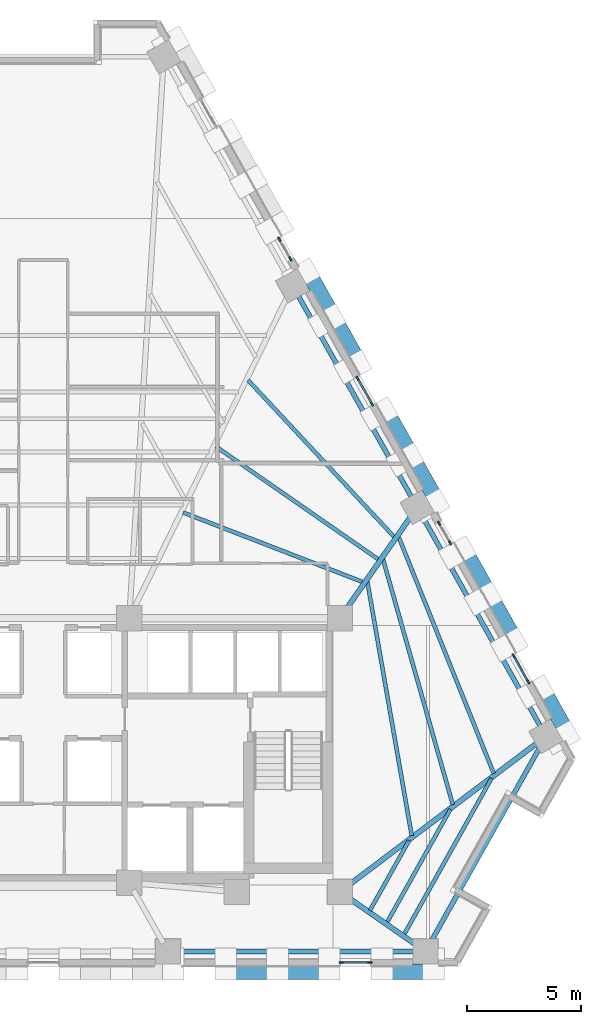
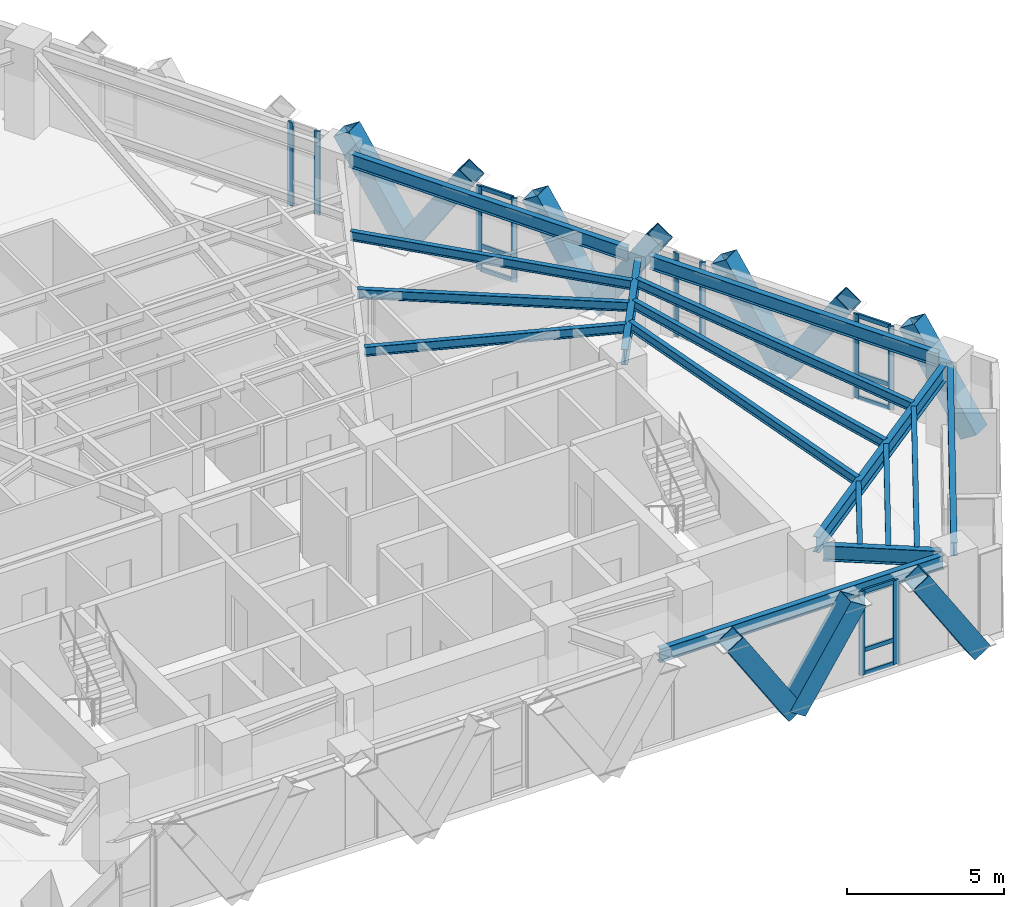
# One storey, part 4 of 13: 29 members, 16 beams, 5 elements without a shape of their own.
"""IFC4 building model written with IfcOpenShell, lengths in metres."""

from ifc_helpers import new_model, si_unit, direction, frame, origin, origin_2d, place, context, subcontext, project, spatial, rectangle, hollow_rectangle, i_section, extrude, material, material_profile, profile_set, type_object, element, aggregate, save


model = new_model("IFC4")

# Units and contexts
model_context = context("Model", 3, precision=1e-05, world=origin(), true_north=direction((0.0, 1.0)))
body_context = subcontext(model_context, "Body", "Model", "MODEL_VIEW")
ifc_project = project(units=[si_unit("LENGTHUNIT", "METRE"), si_unit("AREAUNIT", "SQUARE_METRE"), si_unit("VOLUMEUNIT", "CUBIC_METRE"), si_unit("PLANEANGLEUNIT", "RADIAN"), si_unit("MASSUNIT", "GRAM", prefix="KILO")], contexts=[model_context])

# Site, building, storey
site_placement = place(None, origin())
site = spatial("IfcSite", under=ifc_project, at=site_placement, CompositionType="ELEMENT")
building_placement = place(site_placement, origin())
building = spatial("IfcBuilding", under=site, at=building_placement, Name="Quenlor Broadcast Tower", CompositionType="ELEMENT")
storey_placement = place(building_placement, frame((0.0, 0.0, 109.0)))
storey = spatial("IfcBuildingStorey", under=building, at=storey_placement, Name="L29", CompositionType="ELEMENT", Elevation=109.0)

# Curtain wall, members
ifc_material_1 = material(Name="Architectural Terracotta and Low-E Glazing", Category="masonry")
curtain_wall_type = type_object("IfcCurtainWallType", Name="Unitised Terracotta Curtain Wall System Z2", PredefinedType="NOTDEFINED", material=ifc_material_1)
curtain_wall_1_placement = place(storey_placement, origin())
curtain_wall_1 = element("IfcCurtainWall", 1, at=curtain_wall_1_placement, inside=storey, type_object=curtain_wall_type, Name="L29 Curtain Wall CW2 (L29-SA-G1)", PredefinedType="NOTDEFINED")
ifc_material_2 = material(Name="Aluminium 6063-T6", Category="aluminium")
ifc_material_profile_1 = material_profile(ifc_material_2, rectangle(XDim=0.074951171875, YDim=0.199951171875, at=origin_2d()))
ifc_profile_set_1 = profile_set([ifc_material_profile_1], Name="Aluminium 6063-T6 MULL75x200")
member_type_1 = type_object("IfcMemberType", Name="CW2 Aluminium Mullion MULL_CW2", PredefinedType="MULLION", material=ifc_profile_set_1)
member_1_placement = place(storey_placement, frame((14.254150390625, -19.840087890625, 0.0), z_axis=(0.0, 0.0, 1.0), x_axis=(0.0, -1.0, 0.0)))
member_1 = element("IfcMember", 2, at=member_1_placement, type_object=member_type_1, Name="CW2 mullion 1", PredefinedType="MULLION", context=body_context, shape_type="SweptSolid", body=[
    extrude(rectangle(XDim=0.074951171875, YDim=0.199951171875, at=origin_2d()), origin(), (0.0, 0.0, 1.0), 3.25),
])
member_2_placement = place(storey_placement, frame((13.01611328125, -19.840087890625, 0.0), z_axis=(0.0, 0.0, 1.0), x_axis=(0.0, -1.0, 0.0)))
member_2 = element("IfcMember", 3, at=member_2_placement, type_object=member_type_1, Name="CW2 mullion 2", PredefinedType="MULLION", context=body_context, shape_type="SweptSolid", body=[
    extrude(rectangle(XDim=0.074951171875, YDim=0.199951171875, at=origin_2d()), origin(), (0.0, 0.0, 1.0), 3.25),
])

curtain_wall_2_placement = place(storey_placement, origin())
curtain_wall_2 = element("IfcCurtainWall", 4, at=curtain_wall_2_placement, inside=storey, type_object=curtain_wall_type, Name="L29 Curtain Wall CW2 (L29-NEA-G2)", PredefinedType="NOTDEFINED")
member_3_placement = place(storey_placement, frame((10.306396484375, 11.751220703125, 0.0), z_axis=(0.0, 0.0, 1.0), x_axis=(0.871580587336, 0.490252261371, 0.0)))
member_3 = element("IfcMember", 5, at=member_3_placement, type_object=member_type_1, Name="CW2 mullion 1", PredefinedType="MULLION", context=body_context, shape_type="SweptSolid", body=[
    extrude(rectangle(XDim=0.074951171875, YDim=0.199951171875, at=origin_2d()), origin(), (0.0, 0.0, 1.0), 3.25),
])
member_4_placement = place(storey_placement, frame((10.7880859375, 10.894775390625, 0.0), z_axis=(0.0, 0.0, 1.0), x_axis=(0.871580587336, 0.490252261371, 0.0)))
member_4 = element("IfcMember", 6, at=member_4_placement, type_object=member_type_1, Name="CW2 mullion 2", PredefinedType="MULLION", context=body_context, shape_type="SweptSolid", body=[
    extrude(rectangle(XDim=0.074951171875, YDim=0.199951171875, at=origin_2d()), origin(), (0.0, 0.0, 1.0), 3.25),
])
aggregate(curtain_wall_2, [member_3, member_4])

curtain_wall_3_placement = place(storey_placement, origin())
curtain_wall_3 = element("IfcCurtainWall", 7, at=curtain_wall_3_placement, inside=storey, type_object=curtain_wall_type, Name="L29 Curtain Wall CW2 (L29-NEC-G1)", PredefinedType="NOTDEFINED")
member_5_placement = place(storey_placement, frame((17.282958984375, -0.651611328125, 0.0), z_axis=(0.0, 0.0, 1.0), x_axis=(0.871580587336, 0.490252261371, 0.0)))
member_5 = element("IfcMember", 8, at=member_5_placement, type_object=member_type_1, Name="CW2 mullion 1", PredefinedType="MULLION", context=body_context, shape_type="SweptSolid", body=[
    extrude(rectangle(XDim=0.074951171875, YDim=0.199951171875, at=origin_2d()), origin(), (0.0, 0.0, 1.0), 3.25),
])
member_6_placement = place(storey_placement, frame((17.7646484375, -1.508056640625, 0.0), z_axis=(0.0, 0.0, 1.0), x_axis=(0.871580587336, 0.490252261371, 0.0)))
member_6 = element("IfcMember", 9, at=member_6_placement, type_object=member_type_1, Name="CW2 mullion 2", PredefinedType="MULLION", context=body_context, shape_type="SweptSolid", body=[
    extrude(rectangle(XDim=0.074951171875, YDim=0.199951171875, at=origin_2d()), origin(), (0.0, 0.0, 1.0), 3.25),
])
aggregate(curtain_wall_3, [member_5, member_6])

curtain_wall_4_placement = place(storey_placement, origin())
curtain_wall_4 = element("IfcCurtainWall", 10, at=curtain_wall_4_placement, inside=storey, type_object=curtain_wall_type, Name="L29 Curtain Wall CW2 (L29-NEC-G2)", PredefinedType="NOTDEFINED")
member_7_placement = place(storey_placement, frame((20.545654296875, -6.451904296875, 0.0), z_axis=(0.0, 0.0, 1.0), x_axis=(0.871565749621, 0.490278639232, 0.0)))
member_7 = element("IfcMember", 11, at=member_7_placement, type_object=member_type_1, Name="CW2 mullion 1", PredefinedType="MULLION", context=body_context, shape_type="SweptSolid", body=[
    extrude(rectangle(XDim=0.074951171875, YDim=0.199951171875, at=origin_2d()), origin(), (0.0, 0.0, 1.0), 3.25),
])
member_8_placement = place(storey_placement, frame((21.177734375, -7.57568359375, 0.0), z_axis=(0.0, 0.0, 1.0), x_axis=(0.871565749621, 0.490278639232, 0.0)))
member_8 = element("IfcMember", 12, at=member_8_placement, type_object=member_type_1, Name="CW2 mullion 2", PredefinedType="MULLION", context=body_context, shape_type="SweptSolid", body=[
    extrude(rectangle(XDim=0.074951171875, YDim=0.199951171875, at=origin_2d()), origin(), (0.0, 0.0, 1.0), 3.25),
])

curtain_wall_5_placement = place(storey_placement, origin())
curtain_wall_5 = element("IfcCurtainWall", 13, at=curtain_wall_5_placement, inside=storey, type_object=curtain_wall_type, Name="L29 Curtain Wall CW2 (L29-NE-G1)", PredefinedType="NOTDEFINED")
member_9_placement = place(storey_placement, frame((13.719482421875, 5.683349609375, 0.0), z_axis=(0.0, 0.0, 1.0), x_axis=(0.871579452423, 0.490254279037, 0.0)))
member_9 = element("IfcMember", 14, at=member_9_placement, type_object=member_type_1, Name="CW2 mullion 1", PredefinedType="MULLION", context=body_context, shape_type="SweptSolid", body=[
    extrude(rectangle(XDim=0.074951171875, YDim=0.199951171875, at=origin_2d()), origin(), (0.0, 0.0, 1.0), 3.25),
])
member_10_placement = place(storey_placement, frame((14.3515625, 4.559814453125, 0.0), z_axis=(0.0, 0.0, 1.0), x_axis=(0.871579452423, 0.490254279037, 0.0)))
member_10 = element("IfcMember", 15, at=member_10_placement, type_object=member_type_1, Name="CW2 mullion 2", PredefinedType="MULLION", context=body_context, shape_type="SweptSolid", body=[
    extrude(rectangle(XDim=0.074951171875, YDim=0.199951171875, at=origin_2d()), origin(), (0.0, 0.0, 1.0), 3.25),
])

# Member
ifc_material_3 = material(Name="Aluminium 6063-T6", Category="aluminium")
ifc_material_profile_2 = material_profile(ifc_material_3, rectangle(XDim=0.074951171875, YDim=0.1650390625, at=origin_2d()))
ifc_profile_set_2 = profile_set([ifc_material_profile_2], Name="Aluminium 6063-T6 TRAN75x165")
member_type_2 = type_object("IfcMemberType", Name="CW2 Aluminium Transom TRAN_CW2", PredefinedType="USERDEFINED", material=ifc_profile_set_2)
member_11_placement = place(storey_placement, frame((14.216796875, -19.840087890625, 0.03759765625), z_axis=(-1.0, 0.0, 0.0), x_axis=(0.0, -1.0, 0.0)))
member_11 = element("IfcMember", 16, at=member_11_placement, type_object=member_type_2, Name="CW2 transom 1.1", ObjectType="TRANSOM", PredefinedType="USERDEFINED", context=body_context, shape_type="SweptSolid", body=[
    extrude(rectangle(XDim=0.074951171875, YDim=0.1650390625, at=origin_2d()), origin(), (0.0, 0.0, 1.0), 1.1630859375),
])

member_12_placement = place(storey_placement, frame((14.216796875, -19.840087890625, 0.949951171875), z_axis=(-1.0, 0.0, 0.0), x_axis=(0.0, -1.0, 0.0)))
member_12 = element("IfcMember", 17, at=member_12_placement, type_object=member_type_2, Name="CW2 transom 1.2", ObjectType="TRANSOM", PredefinedType="USERDEFINED", context=body_context, shape_type="SweptSolid", body=[
    extrude(rectangle(XDim=0.074951171875, YDim=0.1650390625, at=origin_2d()), origin(), (0.0, 0.0, 1.0), 1.1630859375),
])

member_13_placement = place(storey_placement, frame((14.216796875, -19.840087890625, 3.21240234375), z_axis=(-1.0, 0.0, 0.0), x_axis=(0.0, -1.0, 0.0)))
member_13 = element("IfcMember", 18, at=member_13_placement, type_object=member_type_2, Name="CW2 transom 1.3", ObjectType="TRANSOM", PredefinedType="USERDEFINED", context=body_context, shape_type="SweptSolid", body=[
    extrude(rectangle(XDim=0.074951171875, YDim=0.1650390625, at=origin_2d()), origin(), (0.0, 0.0, 1.0), 1.1630859375),
])

aggregate(curtain_wall_1, [member_1, member_2, member_11, member_12, member_13])

member_14_placement = place(storey_placement, frame((20.56396484375, -6.484619140625, 0.03759765625), z_axis=(0.490347143438, -0.871527210661, 0.0), x_axis=(0.871527210661, 0.490347143438, 0.0)))
member_14 = element("IfcMember", 19, at=member_14_placement, type_object=member_type_2, Name="CW2 transom 1.1", ObjectType="TRANSOM", PredefinedType="USERDEFINED", context=body_context, shape_type="SweptSolid", body=[
    extrude(rectangle(XDim=0.074951171875, YDim=0.1650390625, at=origin_2d()), origin(), (0.0, 0.0, 1.0), 1.21435546875),
])

member_15_placement = place(storey_placement, frame((20.56396484375, -6.484619140625, 0.949951171875), z_axis=(0.490347143438, -0.871527210661, 0.0), x_axis=(0.871527210661, 0.490347143438, 0.0)))
member_15 = element("IfcMember", 20, at=member_15_placement, type_object=member_type_2, Name="CW2 transom 1.2", ObjectType="TRANSOM", PredefinedType="USERDEFINED", context=body_context, shape_type="SweptSolid", body=[
    extrude(rectangle(XDim=0.074951171875, YDim=0.1650390625, at=origin_2d()), origin(), (0.0, 0.0, 1.0), 1.21435546875),
])

member_16_placement = place(storey_placement, frame((20.56396484375, -6.484619140625, 3.21240234375), z_axis=(0.490347143438, -0.871527210661, 0.0), x_axis=(0.871527210661, 0.490347143438, 0.0)))
member_16 = element("IfcMember", 21, at=member_16_placement, type_object=member_type_2, Name="CW2 transom 1.3", ObjectType="TRANSOM", PredefinedType="USERDEFINED", context=body_context, shape_type="SweptSolid", body=[
    extrude(rectangle(XDim=0.074951171875, YDim=0.1650390625, at=origin_2d()), origin(), (0.0, 0.0, 1.0), 1.21435546875),
])

aggregate(curtain_wall_4, [member_7, member_8, member_14, member_15, member_16])

member_17_placement = place(storey_placement, frame((13.73779296875, 5.650634765625, 0.03759765625), z_axis=(0.490433072585, -0.871478858788, 0.0), x_axis=(0.871478858788, 0.490433072585, 0.0)))
member_17 = element("IfcMember", 22, at=member_17_placement, type_object=member_type_2, Name="CW2 transom 1.1", ObjectType="TRANSOM", PredefinedType="USERDEFINED", context=body_context, shape_type="SweptSolid", body=[
    extrude(rectangle(XDim=0.074951171875, YDim=0.1650390625, at=origin_2d()), origin(), (0.0, 0.0, 1.0), 1.214111328125),
])

member_18_placement = place(storey_placement, frame((13.73779296875, 5.650634765625, 0.949951171875), z_axis=(0.490433072585, -0.871478858788, 0.0), x_axis=(0.871478858788, 0.490433072585, 0.0)))
member_18 = element("IfcMember", 23, at=member_18_placement, type_object=member_type_2, Name="CW2 transom 1.2", ObjectType="TRANSOM", PredefinedType="USERDEFINED", context=body_context, shape_type="SweptSolid", body=[
    extrude(rectangle(XDim=0.074951171875, YDim=0.1650390625, at=origin_2d()), origin(), (0.0, 0.0, 1.0), 1.214111328125),
])

member_19_placement = place(storey_placement, frame((13.73779296875, 5.650634765625, 3.21240234375), z_axis=(0.490433072585, -0.871478858788, 0.0), x_axis=(0.871478858788, 0.490433072585, 0.0)))
member_19 = element("IfcMember", 24, at=member_19_placement, type_object=member_type_2, Name="CW2 transom 1.3", ObjectType="TRANSOM", PredefinedType="USERDEFINED", context=body_context, shape_type="SweptSolid", body=[
    extrude(rectangle(XDim=0.074951171875, YDim=0.1650390625, at=origin_2d()), origin(), (0.0, 0.0, 1.0), 1.214111328125),
])

aggregate(curtain_wall_5, [member_9, member_10, member_17, member_18, member_19])

# Members
ifc_material_4 = material(Name="Steel S355", Category="steel")
ifc_material_profile_3 = material_profile(ifc_material_4, hollow_rectangle(XDim=0.679931640625, YDim=0.679931640625, WallThickness=0.030029296875, at=origin_2d()))
ifc_profile_set_3 = profile_set([ifc_material_profile_3], Name="Steel S355 RHS680x680x30")
member_type_3 = type_object("IfcMemberType", Name="Perimeter Diagonal Lattice Brace Z2 Steel S355 RHS680x30", PredefinedType="BRACE", material=ifc_profile_set_3)
for number, where, z_axis, x_axis, name in (
    (25, (17.030517578125, -20.235107421875, -0.1201171875), (-0.539968035679, 0.0, 0.841685523485), (0.0, -1.0, 0.0), "L29 Perimeter Diamond Lattice S-C1S"),
    (26, (10.239990234375, -20.235107421875, -0.1201171875), (0.539968035679, 0.0, 0.841685523485), (0.0, 1.0, 0.0), "L29 Perimeter Diamond Lattice S-C1B"),
    (27, (10.212890625, -20.235107421875, -0.1201171875), (-0.539968035679, 0.0, 0.841685523485), (0.0, -1.0, 0.0), "L29 Perimeter Diamond Lattice S-C2S"),
):
    element("IfcMember", number, at=place(storey_placement, frame(where, z_axis=z_axis, x_axis=x_axis)), inside=storey, type_object=member_type_3, Name=name, PredefinedType="BRACE", context=body_context, shape_type="SweptSolid", body=[
        extrude(hollow_rectangle(XDim=0.679931640625, YDim=0.679931640625, WallThickness=0.030029296875, at=origin_2d()), origin(), (0.0, 0.0, 1.0), 4.158203125),
    ])
member_20_placement = place(storey_placement, frame((12.66650390625, 8.361083984375, -0.1201171875), z_axis=(-0.268634887212, 0.477637964099, 0.83647909276), x_axis=(-0.871603971106, -0.490210686901, 0.0)))
element("IfcMember", 28, at=member_20_placement, inside=storey, type_object=member_type_3, Name="L29 Perimeter Diamond Lattice NE-C2B", PredefinedType="BRACE", context=body_context, shape_type="SweptSolid", body=[
    extrude(hollow_rectangle(XDim=0.679931640625, YDim=0.679931640625, WallThickness=0.030029296875, at=origin_2d()), origin(), (0.0, 0.0, 1.0), 4.184326171875),
])
for number, where, z_axis, x_axis, name in (
    (29, (12.68017578125, 8.3369140625, -0.1201171875), (0.268642373731, -0.477592925498, 0.83650240439), (0.871578380919, 0.490256183964, 0.0), "L29 Perimeter Diamond Lattice NE-C3S"),
    (30, (16.07958984375, 2.29345703125, -0.1201171875), (-0.268696511206, 0.477585438485, 0.836489290913), (-0.871532878923, -0.490337068716, 0.0), "L29 Perimeter Diamond Lattice NE-C3B"),
    (31, (16.093017578125, 2.269287109375, -0.1201171875), (0.268696511206, -0.477585438485, 0.836489290913), (0.871532878923, 0.490337068716, 0.0), "L29 Perimeter Diamond Lattice NE-C4S"),
    (32, (19.49267578125, -3.774169921875, -0.1201171875), (-0.268696511206, 0.477585438485, 0.836489290913), (-0.871532878923, -0.490337068716, 0.0), "L29 Perimeter Diamond Lattice NE-C4B"),
    (33, (19.506103515625, -3.79833984375, -0.1201171875), (0.268696511206, -0.477585438485, 0.836489290913), (0.871532878923, 0.490337068716, 0.0), "L29 Perimeter Diamond Lattice NE-C5S"),
    (34, (22.90576171875, -9.841796875, -0.1201171875), (-0.268696511206, 0.477585438485, 0.836489290913), (-0.871532878923, -0.490337068716, 0.0), "L29 Perimeter Diamond Lattice NE-C5B"),
):
    element("IfcMember", number, at=place(storey_placement, frame(where, z_axis=z_axis, x_axis=x_axis)), inside=storey, type_object=member_type_3, Name=name, PredefinedType="BRACE", context=body_context, shape_type="SweptSolid", body=[
        extrude(hollow_rectangle(XDim=0.679931640625, YDim=0.679931640625, WallThickness=0.030029296875, at=origin_2d()), origin(), (0.0, 0.0, 1.0), 4.18408203125),
    ])

# Beams
ifc_material_5 = material(Name="Steel S355", Category="steel")
ifc_material_profile_4 = material_profile(ifc_material_5, i_section(OverallWidth=0.208984375, OverallDepth=0.5283203125, WebThickness=0.009521484375, FlangeThickness=0.01318359375, FilletRadius=0.013916015625, at=origin_2d()))
ifc_profile_set_4 = profile_set([ifc_material_profile_4], Name="Steel S355 530UB82.0")
beam_type_1 = type_object("IfcBeamType", Name="Perimeter Spandrel Beam Z2 Steel S355 530UB82.0", PredefinedType="SPANDREL", material=ifc_profile_set_4)
beam_1_placement = place(storey_placement, frame((5.853271484375, -19.35009765625, 2.98583984375), z_axis=(1.0, 0.0, 0.0), x_axis=(0.0, 1.0, 0.0)))
element("IfcBeam", 35, at=beam_1_placement, inside=storey, type_object=beam_type_1, Name="L29 Spandrel Beam S3-S4", PredefinedType="SPANDREL", context=body_context, shape_type="SweptSolid", body=[
    extrude(i_section(OverallWidth=0.208984375, OverallDepth=0.5283203125, WebThickness=0.009521484375, FlangeThickness=0.01318359375, FilletRadius=0.013916015625, at=origin_2d()), origin(), (0.0, 0.0, 1.0), 10.42919921875),
])
beam_2_placement = place(storey_placement, frame((16.892822265625, -18.9921875, 2.98583984375), z_axis=(0.488749102779, 0.872424389006, 0.0), x_axis=(-0.872424389006, 0.488749102779, 0.0)))
element("IfcBeam", 36, at=beam_2_placement, inside=storey, type_object=beam_type_1, Name="L29 Spandrel Beam S4-NE1", PredefinedType="SPANDREL", context=body_context, shape_type="SweptSolid", body=[
    extrude(i_section(OverallWidth=0.208984375, OverallDepth=0.5283203125, WebThickness=0.009521484375, FlangeThickness=0.01318359375, FilletRadius=0.013916015625, at=origin_2d()), origin(), (0.0, 0.0, 1.0), 9.947021484375),
])
beam_3_placement = place(storey_placement, frame((21.753662109375, -9.59912109375, 2.98583984375), z_axis=(-0.490263415828, 0.871574313011, 0.0), x_axis=(-0.871574313011, -0.490263415828, 0.0)))
element("IfcBeam", 37, at=beam_3_placement, inside=storey, type_object=beam_type_1, Name="L29 Spandrel Beam NE1-NE2", PredefinedType="SPANDREL", context=body_context, shape_type="SweptSolid", body=[
    extrude(i_section(OverallWidth=0.208984375, OverallDepth=0.5283203125, WebThickness=0.009521484375, FlangeThickness=0.01318359375, FilletRadius=0.013916015625, at=origin_2d()), origin(), (0.0, 0.0, 1.0), 10.65283203125),
])
beam_4_placement = place(storey_placement, frame((16.129150390625, 0.400146484375, 2.98583984375), z_axis=(-0.49026462139, 0.871573634878, 0.0), x_axis=(-0.871573634878, -0.49026462139, 0.0)))
element("IfcBeam", 38, at=beam_4_placement, inside=storey, type_object=beam_type_1, Name="L29 Spandrel Beam NE2-NE3", PredefinedType="SPANDREL", context=body_context, shape_type="SweptSolid", body=[
    extrude(i_section(OverallWidth=0.208984375, OverallDepth=0.5283203125, WebThickness=0.009521484375, FlangeThickness=0.01318359375, FilletRadius=0.013916015625, at=origin_2d()), origin(), (0.0, 0.0, 1.0), 10.28271484375),
])
ifc_material_6 = material(Name="Steel S355", Category="steel")
ifc_material_profile_5 = material_profile(ifc_material_6, i_section(OverallWidth=0.172119140625, OverallDepth=0.358642578125, WebThickness=0.008056640625, FlangeThickness=0.012939453125, FilletRadius=0.011474609375, at=origin_2d()))
ifc_profile_set_5 = profile_set([ifc_material_profile_5], Name="Steel S355 360UB56.7")
beam_type_2 = type_object("IfcBeamType", Name="Tower Composite Joist Z2-Z3 Steel S355 360UB56.7", PredefinedType="JOIST", material=ifc_profile_set_5)
beam_5_placement = place(storey_placement, frame((13.95703125, -3.221435546875, 3.07080078125), z_axis=(-0.932542579586, 0.361060018916, 0.0), x_axis=(-0.361060018916, -0.932542579586, 0.0)))
element("IfcBeam", 39, at=beam_5_placement, inside=storey, type_object=beam_type_2, Name="L29 Secondary Composite Joist 10", PredefinedType="JOIST", context=body_context, shape_type="SweptSolid", body=[
    extrude(i_section(OverallWidth=0.172119140625, OverallDepth=0.358642578125, WebThickness=0.008056640625, FlangeThickness=0.012939453125, FilletRadius=0.011474609375, at=origin_2d()), origin(), (0.0, 0.0, 1.0), 8.416259765625),
])
beam_6_placement = place(storey_placement, frame((14.641845703125, -2.236083984375, 3.07080078125), z_axis=(-0.821385737622, 0.570373097219, 0.0), x_axis=(-0.570373097219, -0.821385737622, 0.0)))
element("IfcBeam", 40, at=beam_6_placement, inside=storey, type_object=beam_type_2, Name="L29 Secondary Composite Joist 11", PredefinedType="JOIST", context=body_context, shape_type="SweptSolid", body=[
    extrude(i_section(OverallWidth=0.172119140625, OverallDepth=0.358642578125, WebThickness=0.008056640625, FlangeThickness=0.012939453125, FilletRadius=0.011474609375, at=origin_2d()), origin(), (0.0, 0.0, 1.0), 8.662109375),
])
beam_7_placement = place(storey_placement, frame((15.3291015625, -1.254638671875, 3.07080078125), z_axis=(-0.681880655944, 0.73146344478, 0.0), x_axis=(-0.73146344478, -0.681880655944, 0.0)))
element("IfcBeam", 41, at=beam_7_placement, inside=storey, type_object=beam_type_2, Name="L29 Secondary Composite Joist 12", PredefinedType="JOIST", context=body_context, shape_type="SweptSolid", body=[
    extrude(i_section(OverallWidth=0.172119140625, OverallDepth=0.358642578125, WebThickness=0.008056640625, FlangeThickness=0.012939453125, FilletRadius=0.011474609375, at=origin_2d()), origin(), (0.0, 0.0, 1.0), 9.365234375),
])
beam_8_placement = place(storey_placement, frame((16.087890625, -14.29345703125, 3.07080078125), z_axis=(-0.172120396521, 0.985075920476, 0.0), x_axis=(-0.985075920476, -0.172120396521, 0.0)))
element("IfcBeam", 42, at=beam_8_placement, inside=storey, type_object=beam_type_2, Name="L29 Secondary Composite Joist 16", PredefinedType="JOIST", context=body_context, shape_type="SweptSolid", body=[
    extrude(i_section(OverallWidth=0.172119140625, OverallDepth=0.358642578125, WebThickness=0.008056640625, FlangeThickness=0.012939453125, FilletRadius=0.011474609375, at=origin_2d()), origin(), (0.0, 0.0, 1.0), 11.27783203125),
])
beam_9_placement = place(storey_placement, frame((17.880615234375, -12.9365234375, 3.07080078125), z_axis=(-0.273563993601, 0.96185380459, 0.0), x_axis=(-0.96185380459, -0.273563993601, 0.0)))
element("IfcBeam", 43, at=beam_9_placement, inside=storey, type_object=beam_type_2, Name="L29 Secondary Composite Joist 17", PredefinedType="JOIST", context=body_context, shape_type="SweptSolid", body=[
    extrude(i_section(OverallWidth=0.172119140625, OverallDepth=0.358642578125, WebThickness=0.008056640625, FlangeThickness=0.012939453125, FilletRadius=0.011474609375, at=origin_2d()), origin(), (0.0, 0.0, 1.0), 11.1484375),
])
beam_10_placement = place(storey_placement, frame((19.673583984375, -11.580810546875, 3.07080078125), z_axis=(-0.373180395983, 0.92775880058, 0.0), x_axis=(-0.92775880058, -0.373180395983, 0.0)))
element("IfcBeam", 44, at=beam_10_placement, inside=storey, type_object=beam_type_2, Name="L29 Secondary Composite Joist 18", PredefinedType="JOIST", context=body_context, shape_type="SweptSolid", body=[
    extrude(i_section(OverallWidth=0.172119140625, OverallDepth=0.358642578125, WebThickness=0.008056640625, FlangeThickness=0.012939453125, FilletRadius=0.011474609375, at=origin_2d()), origin(), (0.0, 0.0, 1.0), 11.143798828125),
])
beam_11_placement = place(storey_placement, frame((14.261474609375, -17.564208984375, 3.07080078125), z_axis=(0.488730779643, 0.87243465373, 0.0), x_axis=(-0.87243465373, 0.488730779643, 0.0)))
element("IfcBeam", 45, at=beam_11_placement, inside=storey, type_object=beam_type_2, Name="L29 Secondary Composite Joist 22", PredefinedType="JOIST", context=body_context, shape_type="SweptSolid", body=[
    extrude(i_section(OverallWidth=0.172119140625, OverallDepth=0.358642578125, WebThickness=0.008056640625, FlangeThickness=0.012939453125, FilletRadius=0.011474609375, at=origin_2d()), origin(), (0.0, 0.0, 1.0), 3.500732421875),
])
beam_12_placement = place(storey_placement, frame((15.010009765625, -18.084228515625, 3.07080078125), z_axis=(0.488741419435, 0.87242869332, 0.0), x_axis=(-0.87242869332, 0.488741419435, 0.0)))
element("IfcBeam", 46, at=beam_12_placement, inside=storey, type_object=beam_type_2, Name="L29 Secondary Composite Joist 23", PredefinedType="JOIST", context=body_context, shape_type="SweptSolid", body=[
    extrude(i_section(OverallWidth=0.172119140625, OverallDepth=0.358642578125, WebThickness=0.008056640625, FlangeThickness=0.012939453125, FilletRadius=0.011474609375, at=origin_2d()), origin(), (0.0, 0.0, 1.0), 5.654052734375),
])
beam_13_placement = place(storey_placement, frame((15.758544921875, -18.604248046875, 3.07080078125), z_axis=(0.488732857155, 0.872433489922, 0.0), x_axis=(-0.872433489922, 0.488732857155, 0.0)))
element("IfcBeam", 47, at=beam_13_placement, inside=storey, type_object=beam_type_2, Name="L29 Secondary Composite Joist 24", PredefinedType="JOIST", context=body_context, shape_type="SweptSolid", body=[
    extrude(i_section(OverallWidth=0.172119140625, OverallDepth=0.358642578125, WebThickness=0.008056640625, FlangeThickness=0.012939453125, FilletRadius=0.011474609375, at=origin_2d()), origin(), (0.0, 0.0, 1.0), 7.807861328125),
])
ifc_material_7 = material(Name="Steel S355", Category="steel")
ifc_material_profile_6 = material_profile(ifc_material_7, i_section(OverallWidth=0.22802734375, OverallDepth=0.60205078125, WebThickness=0.010498046875, FlangeThickness=0.014892578125, FilletRadius=0.013916015625, at=origin_2d()))
ifc_profile_set_6 = profile_set([ifc_material_profile_6], Name="Steel S355 610UB101")
beam_type_3 = type_object("IfcBeamType", Name="Tower Primary Floor Beam Z2 Steel S355 610UB101", PredefinedType="BEAM", material=ifc_profile_set_6)
beam_14_placement = place(storey_placement, frame((16.355712890625, -19.1162109375, 2.948974609375), z_axis=(-0.821227395059, 0.570601056436, 0.0), x_axis=(-0.570601056436, -0.821227395059, 0.0)))
element("IfcBeam", 48, at=beam_14_placement, inside=storey, type_object=beam_type_3, Name="L29 Primary Radial Beam S4", PredefinedType="BEAM", context=body_context, shape_type="SweptSolid", body=[
    extrude(i_section(OverallWidth=0.22802734375, OverallDepth=0.60205078125, WebThickness=0.010498046875, FlangeThickness=0.014892578125, FilletRadius=0.013916015625, at=origin_2d()), origin(), (0.0, 0.0, 1.0), 3.766845703125),
])
beam_15_placement = place(storey_placement, frame((21.62744140625, -10.203369140625, 2.948974609375), z_axis=(-0.798298724007, -0.602261693327, 0.0), x_axis=(0.602261693327, -0.798298724007, 0.0)))
element("IfcBeam", 49, at=beam_15_placement, inside=storey, type_object=beam_type_3, Name="L29 Primary Radial Beam NE1", PredefinedType="BEAM", context=body_context, shape_type="SweptSolid", body=[
    extrude(i_section(OverallWidth=0.22802734375, OverallDepth=0.60205078125, WebThickness=0.010498046875, FlangeThickness=0.014892578125, FilletRadius=0.013916015625, at=origin_2d()), origin(), (0.0, 0.0, 1.0), 10.48974609375),
])
beam_16_placement = place(storey_placement, frame((16.095458984375, -0.293212890625, 2.948974609375), z_axis=(-0.572337599985, -0.820018092266, 0.0), x_axis=(0.820018092266, -0.572337599985, 0.0)))
element("IfcBeam", 50, at=beam_16_placement, inside=storey, type_object=beam_type_3, Name="L29 Primary Radial Beam NE2", PredefinedType="BEAM", context=body_context, shape_type="SweptSolid", body=[
    extrude(i_section(OverallWidth=0.22802734375, OverallDepth=0.60205078125, WebThickness=0.010498046875, FlangeThickness=0.014892578125, FilletRadius=0.013916015625, at=origin_2d()), origin(), (0.0, 0.0, 1.0), 5.11572265625),
])

save(model, "model.ifc")
